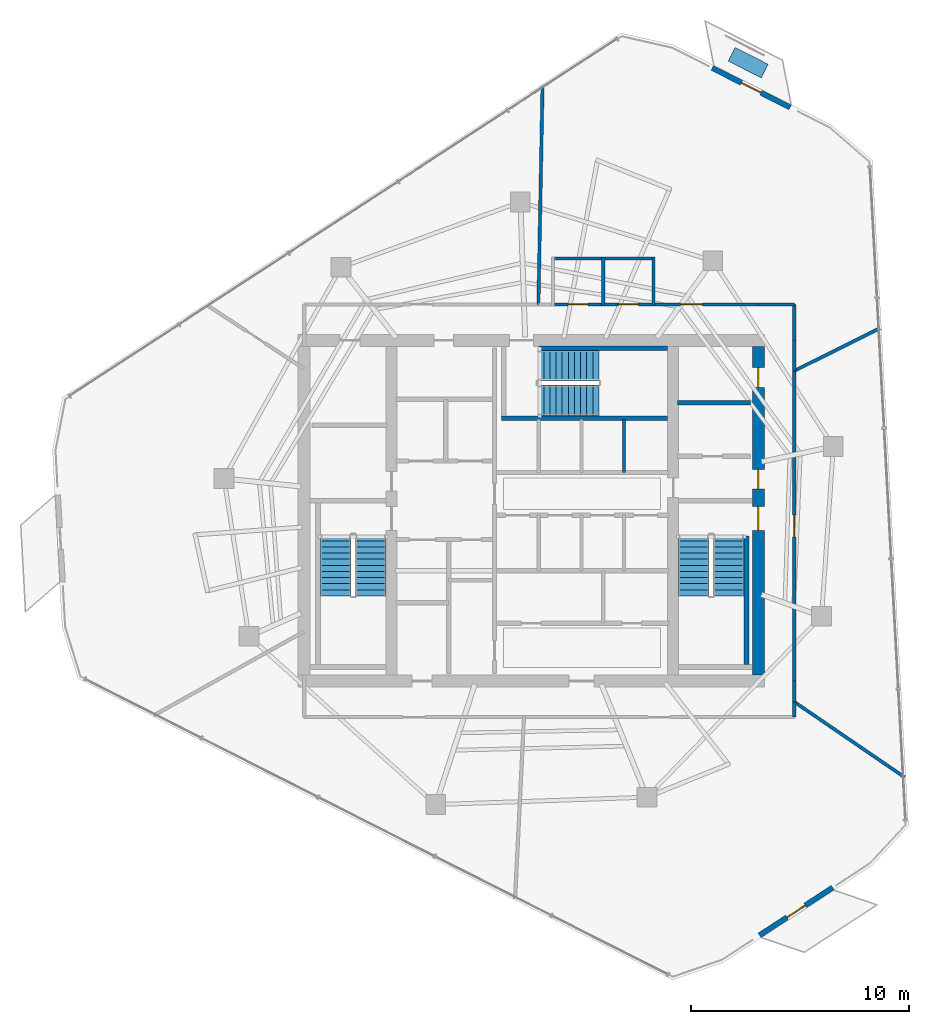
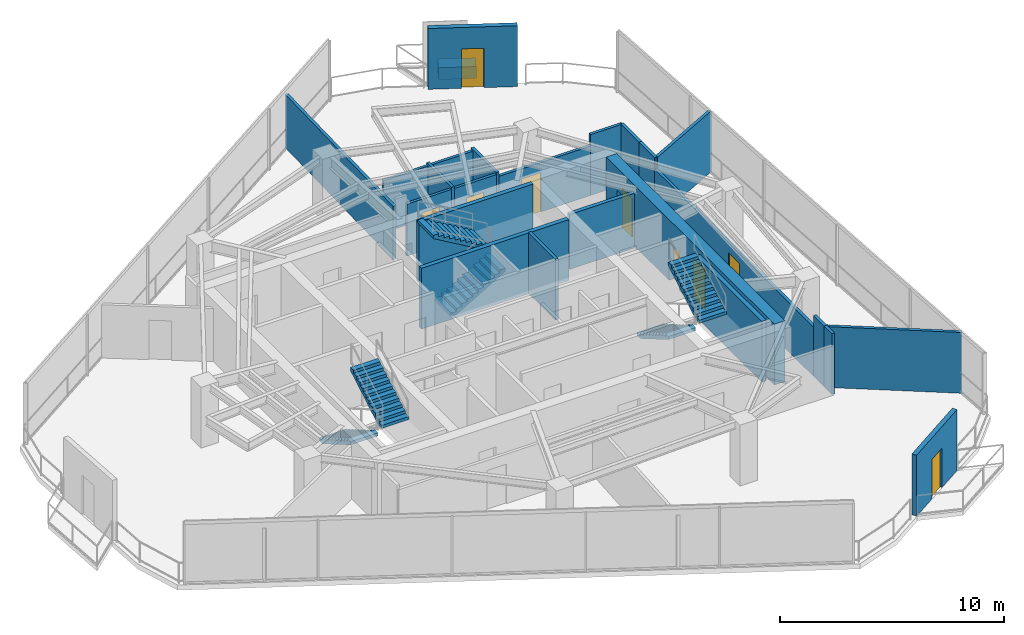
# One storey, part 16 of 18: 24 walls, 9 doors, 6 stair flights, 1 discrete accessory, 9 openings, 3 elements without a shape of their own.
"""IFC4 building model written with IfcOpenShell, lengths in metres."""

from ifc_helpers import new_model, si_unit, direction, frame, frame_2d, origin, origin_2d, place, context, subcontext, project, spatial, polyline, rectangle, outline, extrude, material, layer, layer_set, type_object, element, fill, aggregate, save


model = new_model("IFC4")

# Units and contexts
model_context = context("Model", 3, precision=1e-05, world=origin(), true_north=direction((0.0, 1.0)))
body_context = subcontext(model_context, "Body", "Model", "MODEL_VIEW")
ifc_project = project(units=[si_unit("LENGTHUNIT", "METRE"), si_unit("AREAUNIT", "SQUARE_METRE"), si_unit("VOLUMEUNIT", "CUBIC_METRE"), si_unit("PLANEANGLEUNIT", "RADIAN"), si_unit("MASSUNIT", "GRAM", prefix="KILO")], contexts=[model_context])

# Site, building, storey
site_placement = place(None, origin())
site = spatial("IfcSite", under=ifc_project, at=site_placement, CompositionType="ELEMENT")
building_placement = place(site_placement, origin())
building = spatial("IfcBuilding", under=site, at=building_placement, Name="Qarnah Convention Tower", CompositionType="ELEMENT")
storey_placement = place(building_placement, frame((0.0, 0.0, 191.39990234375)))
storey = spatial("IfcBuildingStorey", under=building, at=storey_placement, Name="L51", CompositionType="ELEMENT", Elevation=191.39990234375)

# Wall, openings, doors
ifc_material_1 = material(Name="Concrete C60/75", Category="concrete")
ifc_layer_1 = layer(ifc_material_1, 0.550048828125)
ifc_layer_set_1 = layer_set([ifc_layer_1], Name="Concrete C60/75")
wall_type_1 = type_object("IfcWallType", Name="WL-CORE-550", PredefinedType="SHEAR", material=ifc_layer_set_1)
wall_1_placement = place(storey_placement, frame((47.60009765625, 18.875, 0.0), z_axis=(0.0, 0.0, 1.0), x_axis=(0.0, 1.0, 0.0)))
wall_1 = element("IfcWall", 1, at=wall_1_placement, inside=storey, type_object=wall_type_1, Name="L51 core east shear wall", PredefinedType="SHEAR", context=body_context, shape_type="SweptSolid", body=[
    extrude(rectangle(XDim=15.050048828125, YDim=0.550048828125, at=frame_2d((7.52490234375, 0.0))), origin(), (0.0, 0.0, 1.0), 3.320068359375),
])
opening_1_placement = place(wall_1_placement, frame((6.625, 0.0, 0.0)))
opening_1 = element("IfcOpeningElement", 2, at=opening_1_placement, cuts=wall_1, Name="Opening D-5102", PredefinedType="OPENING", context=body_context, shape_type="SweptSolid", body=[
    extrude(rectangle(XDim=1.10009765625, YDim=2.14990234375, at=frame_2d((0.550048828125, 1.074951171875))), frame((0.0, 0.284912109375, 0.0), z_axis=(0.0, -1.0, 0.0), x_axis=(1.0, 0.0, 0.0)), (0.0, 0.0, 1.0), 0.570068359375),
])
opening_2_placement = place(wall_1_placement, frame((8.52490234375, 0.0, 0.0)))
opening_2 = element("IfcOpeningElement", 3, at=opening_2_placement, cuts=wall_1, Name="Opening D-5106", PredefinedType="OPENING", context=body_context, shape_type="SweptSolid", body=[
    extrude(rectangle(XDim=0.89990234375, YDim=2.10009765625, at=frame_2d((0.449951171875, 1.050048828125))), frame((0.0, 0.284912109375, 0.0), z_axis=(0.0, -1.0, 0.0), x_axis=(1.0, 0.0, 0.0)), (0.0, 0.0, 1.0), 0.570068359375),
])
opening_3_placement = place(wall_1_placement, frame((13.175048828125, 0.0, 0.0)))
opening_3 = element("IfcOpeningElement", 4, at=opening_3_placement, cuts=wall_1, Name="Opening D-5112", PredefinedType="OPENING", context=body_context, shape_type="SweptSolid", body=[
    extrude(rectangle(XDim=0.89990234375, YDim=2.10009765625, at=frame_2d((0.449951171875, 1.050048828125))), frame((0.0, 0.284912109375, 0.0), z_axis=(0.0, -1.0, 0.0), x_axis=(1.0, 0.0, 0.0)), (0.0, 0.0, 1.0), 0.570068359375),
])
ifc_material_2 = material(Name="Structural steel S355JR", Category="steel")
door_type_1 = type_object("IfcDoorType", Name="DT-RISER-900", OperationType="NOTDEFINED", PredefinedType="DOOR", material=ifc_material_2)
door_1_placement = place(opening_2_placement, origin())
door_1 = element("IfcDoor", 5, at=door_1_placement, inside=storey, type_object=door_type_1, Name="Door D-5106", OperationType="SINGLE_SWING_LEFT", OverallHeight=2.10009765625, OverallWidth=0.89990234375, PredefinedType="DOOR", context=body_context, shape_type="SweptSolid", body=[
    extrude(rectangle(XDim=0.89990234375, YDim=2.10009765625, at=frame_2d((0.449951171875, 1.050048828125))), frame((0.0, 0.02490234375, 0.0), z_axis=(0.0, -1.0, 0.0), x_axis=(1.0, 0.0, 0.0)), (0.0, 0.0, 1.0), 0.050048828125),
])
fill(opening_2, door_1)
door_2_placement = place(opening_3_placement, origin())
door_2 = element("IfcDoor", 6, at=door_2_placement, inside=storey, type_object=door_type_1, Name="Door D-5112", OperationType="SINGLE_SWING_LEFT", OverallHeight=2.10009765625, OverallWidth=0.89990234375, PredefinedType="DOOR", context=body_context, shape_type="SweptSolid", body=[
    extrude(rectangle(XDim=0.89990234375, YDim=2.10009765625, at=frame_2d((0.449951171875, 1.050048828125))), frame((0.0, 0.02490234375, 0.0), z_axis=(0.0, -1.0, 0.0), x_axis=(1.0, 0.0, 0.0)), (0.0, 0.0, 1.0), 0.050048828125),
])
fill(opening_3, door_2)
door_type_2 = type_object("IfcDoorType", Name="DT-STAIR-1100", OperationType="NOTDEFINED", PredefinedType="DOOR", material=ifc_material_2)
door_3_placement = place(opening_1_placement, origin())
door_3 = element("IfcDoor", 7, at=door_3_placement, inside=storey, type_object=door_type_2, Name="Door D-5102", OperationType="SINGLE_SWING_LEFT", OverallHeight=2.14990234375, OverallWidth=1.10009765625, PredefinedType="DOOR", context=body_context, shape_type="SweptSolid", body=[
    extrude(rectangle(XDim=1.10009765625, YDim=2.14990234375, at=frame_2d((0.550048828125, 1.074951171875))), frame((0.0, 0.02490234375, 0.0), z_axis=(0.0, -1.0, 0.0), x_axis=(1.0, 0.0, 0.0)), (0.0, 0.0, 1.0), 0.050048828125),
])
fill(opening_1, door_3)

# Walls
ifc_material_3 = material(Name="Concrete C45/55", Category="concrete")
ifc_layer_2 = layer(ifc_material_3, 0.199951171875)
ifc_layer_set_2 = layer_set([ifc_layer_2], Name="Concrete C45/55")
wall_type_2 = type_object("IfcWallType", Name="WL-CORE-PART-200", PredefinedType="SOLIDWALL", material=ifc_layer_set_2)
wall_2_placement = place(storey_placement, frame((43.89990234375, 31.35009765625, 0.0), z_axis=(0.0, 0.0, 1.0), x_axis=(1.0, 0.0, 0.0)))
element("IfcWall", 8, at=wall_2_placement, inside=storey, type_object=wall_type_2, Name="L51 interior wall IW-L51-WTRN", PredefinedType="SOLIDWALL", context=body_context, shape_type="SweptSolid", body=[
    extrude(rectangle(XDim=3.35009765625, YDim=0.199951171875, at=frame_2d((1.675048828125, 0.0))), origin(), (0.0, 0.0, 1.0), 2.9931640625),
])
ifc_layer_3 = layer(ifc_material_1, 0.219970703125)
ifc_layer_set_3 = layer_set([ifc_layer_3], Name="Concrete C60/75")
wall_type_3 = type_object("IfcWallType", Name="WL-CORE-STAIR-220", PredefinedType="SHEAR", material=ifc_layer_set_3)
wall_3_placement = place(storey_placement, frame((47.06005859375, 19.35009765625, 0.0), z_axis=(0.0, 0.0, 1.0), x_axis=(0.0, 1.0, 0.0)))
element("IfcWall", 9, at=wall_3_placement, inside=storey, type_object=wall_type_3, Name="L51 stair shaft shear wall SW-L51-ST2E", PredefinedType="SHEAR", context=body_context, shape_type="SweptSolid", body=[
    extrude(rectangle(XDim=5.89990234375, YDim=0.219970703125, at=frame_2d((2.949951171875, 0.0))), origin(), (0.0, 0.0, 1.0), 3.320068359375),
])
wall_4_placement = place(storey_placement, frame((35.840087890625, 30.639892578125, 0.0), z_axis=(0.0, 0.0, 1.0), x_axis=(1.0, 0.0, 0.0)))
element("IfcWall", 10, at=wall_4_placement, inside=storey, type_object=wall_type_3, Name="L51 stair shaft shear wall SW-L51-ST3S", PredefinedType="SHEAR", context=body_context, shape_type="SweptSolid", body=[
    extrude(rectangle(XDim=7.60986328125, YDim=0.219970703125, at=frame_2d((3.804931640625, 0.0))), origin(), (0.0, 0.0, 1.0), 3.320068359375),
])
wall_5_placement = place(storey_placement, frame((37.550048828125, 33.840087890625, 0.0), z_axis=(0.0, 0.0, 1.0), x_axis=(1.0, 0.0, 0.0)))
element("IfcWall", 11, at=wall_5_placement, inside=storey, type_object=wall_type_3, Name="L51 stair shaft shear wall SW-L51-ST3N", PredefinedType="SHEAR", context=body_context, shape_type="SweptSolid", body=[
    extrude(rectangle(XDim=5.89990234375, YDim=0.219970703125, at=frame_2d((2.949951171875, 0.0))), origin(), (0.0, 0.0, 1.0), 3.320068359375),
])

# Wall, opening, door
ifc_material_4 = material(Name="Precast concrete C45/55", Category="concrete")
ifc_layer_4 = layer(ifc_material_4, 0.239990234375)
ifc_layer_set_4 = layer_set([ifc_layer_4], Name="Precast concrete C45/55")
wall_type_4 = type_object("IfcWallType", Name="WL-EXT-BAL-240", PredefinedType="SOLIDWALL", material=ifc_layer_set_4)
wall_6_placement = place(storey_placement, frame((45.490966796875, 46.678955078125, 0.0), z_axis=(0.0, 0.0, 1.0), x_axis=(0.891935694243, -0.452162268809, 0.0)))
wall_6 = element("IfcWall", 12, at=wall_6_placement, inside=storey, type_object=wall_type_4, Name="L51 loggia threshold wall BAL-L51-C1", PredefinedType="SOLIDWALL", context=body_context, shape_type="SweptSolid", body=[
    extrude(rectangle(XDim=4.00048828125, YDim=0.239990234375, at=frame_2d((2.000244140625, 0.0))), origin(), (0.0, 0.0, 1.0), 3.320068359375),
])
opening_4_placement = place(wall_6_placement, frame((1.5, 0.0, 0.0)))
opening_4 = element("IfcOpeningElement", 13, at=opening_4_placement, cuts=wall_6, Name="Opening BD-5101", PredefinedType="OPENING", context=body_context, shape_type="SweptSolid", body=[
    extrude(rectangle(XDim=1.0, YDim=2.14990234375, at=frame_2d((0.5, 1.074951171875))), frame((0.0, 0.1298828125, 0.0), z_axis=(0.0, -1.0, 0.0), x_axis=(1.0, 0.0, 0.0)), (0.0, 0.0, 1.0), 0.260009765625),
])
ifc_material_5 = material(Name="Black anodised aluminium", Category="aluminium")
door_type_3 = type_object("IfcDoorType", Name="DT-BAL-1000", OperationType="NOTDEFINED", PredefinedType="DOOR", material=ifc_material_5)
door_4_placement = place(opening_4_placement, origin())
door_4 = element("IfcDoor", 14, at=door_4_placement, inside=storey, type_object=door_type_3, Name="L51 balcony terrace door BAL-L51-C1", OperationType="SINGLE_SWING_RIGHT", OverallHeight=2.14990234375, OverallWidth=1.0, PredefinedType="DOOR", context=body_context, shape_type="SweptSolid", body=[
    extrude(rectangle(XDim=1.0, YDim=2.14990234375, at=frame_2d((0.5, 1.074951171875))), frame((0.0, 0.02490234375, 0.0), z_axis=(0.0, -1.0, 0.0), x_axis=(1.0, 0.0, 0.0)), (0.0, 0.0, 1.0), 0.050048828125),
])
fill(opening_4, door_4)

wall_7_placement = place(storey_placement, frame((51.007080078125, 9.14111328125, 0.0), z_axis=(0.0, 0.0, 1.0), x_axis=(-0.837586309671, -0.546305019061, 0.0)))
wall_7 = element("IfcWall", 15, at=wall_7_placement, inside=storey, type_object=wall_type_4, Name="L51 loggia threshold wall BAL-L51-C3", PredefinedType="SOLIDWALL", context=body_context, shape_type="SweptSolid", body=[
    extrude(rectangle(XDim=3.999755859375, YDim=0.239990234375, at=frame_2d((2.0, 0.0))), origin(), (0.0, 0.0, 1.0), 3.320068359375),
])
opening_5_placement = place(wall_7_placement, frame((1.5, 0.0, 0.0)))
opening_5 = element("IfcOpeningElement", 16, at=opening_5_placement, cuts=wall_7, Name="Opening BD-5103", PredefinedType="OPENING", context=body_context, shape_type="SweptSolid", body=[
    extrude(rectangle(XDim=1.0, YDim=2.14990234375, at=frame_2d((0.5, 1.074951171875))), frame((0.0, 0.1298828125, 0.0), z_axis=(0.0, -1.0, 0.0), x_axis=(1.0, 0.0, 0.0)), (0.0, 0.0, 1.0), 0.260009765625),
])
door_5_placement = place(opening_5_placement, origin())
door_5 = element("IfcDoor", 17, at=door_5_placement, inside=storey, type_object=door_type_3, Name="L51 balcony terrace door BAL-L51-C3", OperationType="SINGLE_SWING_RIGHT", OverallHeight=2.14990234375, OverallWidth=1.0, PredefinedType="DOOR", context=body_context, shape_type="SweptSolid", body=[
    extrude(rectangle(XDim=1.0, YDim=2.14990234375, at=frame_2d((0.5, 1.074951171875))), frame((0.0, 0.02490234375, 0.0), z_axis=(0.0, -1.0, 0.0), x_axis=(1.0, 0.0, 0.0)), (0.0, 0.0, 1.0), 0.050048828125),
])
fill(opening_5, door_5)

# Walls
ifc_material_6 = material(Name="Gypsum partition board")
ifc_layer_5 = layer(ifc_material_6, 0.14990234375)
ifc_layer_set_5 = layer_set([ifc_layer_5], Name="Gypsum partition board")
wall_type_5 = type_object("IfcWallType", Name="WL-SUITE-150", PredefinedType="PARTITIONING", material=ifc_layer_set_5)
wall_8_placement = place(storey_placement, frame((41.449951171875, 28.14990234375, 0.0), z_axis=(0.0, 0.0, 1.0), x_axis=(0.0, 1.0, 0.0)))
element("IfcWall", 18, at=wall_8_placement, inside=storey, type_object=wall_type_5, Name="L51 interior wall IW-L51-PHD3", PredefinedType="PARTITIONING", context=body_context, shape_type="SweptSolid", body=[
    extrude(rectangle(XDim=2.43017578125, YDim=0.14990234375, at=frame_2d((1.215087890625, 0.0))), origin(), (0.0, 0.0, 1.0), 3.320068359375),
])
wall_9_placement = place(storey_placement, frame((37.718994140625, 45.85595703125, 0.0), z_axis=(0.0, 0.0, 1.0), x_axis=(-0.018882051773, -0.999821718168, 0.0)))
element("IfcWall", 19, at=wall_9_placement, inside=storey, type_object=wall_type_5, Name="L51 interior wall IW-L51-R-08", PredefinedType="PARTITIONING", context=body_context, shape_type="SweptSolid", body=[
    extrude(rectangle(XDim=10.007568359375, YDim=0.14990234375, at=frame_2d((5.00390625, 0.0))), origin(), (0.0, 0.0, 1.0), 2.905029296875),
])

# Wall, opening, door
wall_10_placement = place(storey_placement, frame((42.8701171875, 35.85009765625, 0.0), z_axis=(0.0, 0.0, 1.0), x_axis=(1.0, 0.0, 0.0)))
wall_10 = element("IfcWall", 20, at=wall_10_placement, inside=storey, type_object=wall_type_5, Name="L51 interior wall IW-L51-R-10", PredefinedType="PARTITIONING", context=body_context, shape_type="SweptSolid", body=[
    extrude(rectangle(XDim=4.72998046875, YDim=0.14990234375, at=frame_2d((2.364990234375, 0.0))), origin(), (0.0, 0.0, 1.0), 2.697021484375),
])
opening_6_placement = place(wall_10_placement, frame((1.1689453125, 0.0, 0.0)))
opening_6 = element("IfcOpeningElement", 21, at=opening_6_placement, cuts=wall_10, Name="Opening D-5120", PredefinedType="OPENING", context=body_context, shape_type="SweptSolid", body=[
    extrude(rectangle(XDim=1.0, YDim=2.14990234375, at=frame_2d((0.5, 1.074951171875))), frame((0.0, 0.0849609375, 0.0), z_axis=(0.0, -1.0, 0.0), x_axis=(1.0, 0.0, 0.0)), (0.0, 0.0, 1.0), 0.169921875),
])
ifc_material_7 = material(Name="Oak timber veneer", Category="wood")
door_type_4 = type_object("IfcDoorType", Name="DT-OFFICE-1000", OperationType="NOTDEFINED", PredefinedType="DOOR", material=ifc_material_7)
door_6_placement = place(opening_6_placement, origin())
door_6 = element("IfcDoor", 22, at=door_6_placement, inside=storey, type_object=door_type_4, Name="Door D-5120", OperationType="SINGLE_SWING_LEFT", OverallHeight=2.14990234375, OverallWidth=1.0, PredefinedType="DOOR", context=body_context, shape_type="SweptSolid", body=[
    extrude(rectangle(XDim=1.0, YDim=2.14990234375, at=frame_2d((0.5, 1.074951171875))), frame((0.0, 0.02490234375, 0.0), z_axis=(0.0, -1.0, 0.0), x_axis=(1.0, 0.0, 0.0)), (0.0, 0.0, 1.0), 0.050048828125),
])
fill(opening_6, door_6)

# Walls
wall_11_placement = place(storey_placement, frame((47.60009765625, 35.85009765625, 0.0), z_axis=(0.0, 0.0, 1.0), x_axis=(1.0, 0.0, 0.0)))
element("IfcWall", 23, at=wall_11_placement, inside=storey, type_object=wall_type_5, Name="L51 interior wall IW-L51-R-11", PredefinedType="PARTITIONING", context=body_context, shape_type="SweptSolid", body=[
    extrude(rectangle(XDim=1.64990234375, YDim=0.14990234375, at=frame_2d((0.824951171875, 0.0))), origin(), (0.0, 0.0, 1.0), 3.320068359375),
])
wall_12_placement = place(storey_placement, frame((49.25, 35.85009765625, 0.0), z_axis=(0.0, 0.0, 1.0), x_axis=(0.0, -1.0, 0.0)))
element("IfcWall", 24, at=wall_12_placement, inside=storey, type_object=wall_type_5, Name="L51 interior wall IW-L51-R-12", PredefinedType="PARTITIONING", context=body_context, shape_type="SweptSolid", body=[
    extrude(rectangle(XDim=1.650146484375, YDim=0.14990234375, at=frame_2d((0.8251953125, 0.0))), origin(), (0.0, 0.0, 1.0), 3.320068359375),
])
wall_13_placement = place(storey_placement, frame((49.25, 34.199951171875, 0.0), z_axis=(0.0, 0.0, 1.0), x_axis=(0.0, -1.0, 0.0)))
element("IfcWall", 25, at=wall_13_placement, inside=storey, type_object=wall_type_5, Name="L51 interior wall IW-L51-R-13", PredefinedType="PARTITIONING", context=body_context, shape_type="SweptSolid", body=[
    extrude(rectangle(XDim=1.39306640625, YDim=0.14990234375, at=frame_2d((0.696533203125, 0.0))), origin(), (0.0, 0.0, 1.0), 3.320068359375),
])
wall_14_placement = place(storey_placement, frame((49.25, 32.806884765625, 0.0), z_axis=(0.0, 0.0, 1.0), x_axis=(0.895229443913, 0.445605478816, 0.0)))
element("IfcWall", 26, at=wall_14_placement, inside=storey, type_object=wall_type_5, Name="L51 interior wall IW-L51-R-14", PredefinedType="PARTITIONING", context=body_context, shape_type="SweptSolid", body=[
    extrude(rectangle(XDim=4.374267578125, YDim=0.14990234375, at=frame_2d((2.18701171875, 0.0))), origin(), (0.0, 0.0, 1.0), 3.320068359375),
])
wall_15_placement = place(storey_placement, frame((54.297119140625, 14.196044921875, 0.0), z_axis=(0.0, 0.0, 1.0), x_axis=(-0.825636269651, 0.564202756318, 0.0)))
element("IfcWall", 27, at=wall_15_placement, inside=storey, type_object=wall_type_5, Name="L51 interior wall IW-L51-R-22", PredefinedType="PARTITIONING", context=body_context, shape_type="SweptSolid", body=[
    extrude(rectangle(XDim=6.113037109375, YDim=0.14990234375, at=frame_2d((3.056640625, 0.0))), origin(), (0.0, 0.0, 1.0), 3.320068359375),
])
wall_16_placement = place(storey_placement, frame((49.25, 17.64501953125, 0.0), z_axis=(0.0, 0.0, 1.0), x_axis=(0.0, -1.0, 0.0)))
element("IfcWall", 28, at=wall_16_placement, inside=storey, type_object=wall_type_5, Name="L51 interior wall IW-L51-R-23", PredefinedType="PARTITIONING", context=body_context, shape_type="SweptSolid", body=[
    extrude(rectangle(XDim=0.695068359375, YDim=0.14990234375, at=frame_2d((0.34765625, 0.0))), origin(), (0.0, 0.0, 1.0), 3.320068359375),
])

# Wall, opening, door
wall_17_placement = place(storey_placement, frame((49.25, 32.806884765625, 0.0), z_axis=(0.0, 0.0, 1.0), x_axis=(0.0, -1.0, 0.0)))
wall_17 = element("IfcWall", 29, at=wall_17_placement, inside=storey, type_object=wall_type_5, Name="L51 interior wall IW-L51-R-25", PredefinedType="PARTITIONING", context=body_context, shape_type="SweptSolid", body=[
    extrude(rectangle(XDim=14.206787109375, YDim=0.14990234375, at=frame_2d((7.103515625, 0.0))), origin(), (0.0, 0.0, 1.0), 2.697021484375),
])
opening_7_placement = place(wall_17_placement, frame((6.60400390625, 0.0, 0.0)))
opening_7 = element("IfcOpeningElement", 30, at=opening_7_placement, cuts=wall_17, Name="Opening D-5125", PredefinedType="OPENING", context=body_context, shape_type="SweptSolid", body=[
    extrude(rectangle(XDim=1.0, YDim=2.14990234375, at=frame_2d((0.5, 1.074951171875))), frame((0.0, 0.0849609375, 0.0), z_axis=(0.0, -1.0, 0.0), x_axis=(1.0, 0.0, 0.0)), (0.0, 0.0, 1.0), 0.169921875),
])
door_7_placement = place(opening_7_placement, origin())
door_7 = element("IfcDoor", 31, at=door_7_placement, inside=storey, type_object=door_type_4, Name="Door D-5125", OperationType="SINGLE_SWING_RIGHT", OverallHeight=2.14990234375, OverallWidth=1.0, PredefinedType="DOOR", context=body_context, shape_type="SweptSolid", body=[
    extrude(rectangle(XDim=1.0, YDim=2.14990234375, at=frame_2d((0.5, 1.074951171875))), frame((0.0, 0.02490234375, 0.0), z_axis=(0.0, -1.0, 0.0), x_axis=(1.0, 0.0, 0.0)), (0.0, 0.0, 1.0), 0.050048828125),
])
fill(opening_7, door_7)

# Wall
wall_18_placement = place(storey_placement, frame((49.25, 18.60009765625, 0.0), z_axis=(0.0, 0.0, 1.0), x_axis=(0.0, -1.0, 0.0)))
element("IfcWall", 32, at=wall_18_placement, inside=storey, type_object=wall_type_5, Name="L51 interior wall IW-L51-R-26", PredefinedType="PARTITIONING", context=body_context, shape_type="SweptSolid", body=[
    extrude(rectangle(XDim=0.955078125, YDim=0.14990234375, at=frame_2d((0.4775390625, 0.0))), origin(), (0.0, 0.0, 1.0), 3.320068359375),
])

# Wall, opening, door
ifc_layer_6 = layer(ifc_material_6, 0.139892578125)
ifc_layer_set_6 = layer_set([ifc_layer_6], Name="Gypsum partition board")
wall_type_6 = type_object("IfcWallType", Name="WL-WET-140", PredefinedType="PARTITIONING", material=ifc_layer_set_6)
wall_19_placement = place(storey_placement, frame((38.1298828125, 35.85009765625, 0.0), z_axis=(0.0, 0.0, 1.0), x_axis=(1.0, 0.0, 0.0)))
wall_19 = element("IfcWall", 33, at=wall_19_placement, inside=storey, type_object=wall_type_6, Name="L51 interior wall IW-L51-WCM-1", PredefinedType="PARTITIONING", context=body_context, shape_type="SweptSolid", body=[
    extrude(rectangle(XDim=2.440185546875, YDim=0.139892578125, at=frame_2d((1.22021484375, 0.0))), origin(), (0.0, 0.0, 1.0), 2.841064453125),
])
opening_8_placement = place(wall_19_placement, frame((0.760009765625, 0.0, 0.0)))
opening_8 = element("IfcOpeningElement", 34, at=opening_8_placement, cuts=wall_19, Name="Opening D-5118", PredefinedType="OPENING", context=body_context, shape_type="SweptSolid", body=[
    extrude(rectangle(XDim=0.919921875, YDim=2.10009765625, at=frame_2d((0.4599609375, 1.050048828125))), frame((0.0, 0.079833984375, 0.0), z_axis=(0.0, -1.0, 0.0), x_axis=(1.0, 0.0, 0.0)), (0.0, 0.0, 1.0), 0.159912109375),
])
door_type_5 = type_object("IfcDoorType", Name="DT-WC-920", OperationType="NOTDEFINED", PredefinedType="DOOR", material=ifc_material_7)
door_8_placement = place(opening_8_placement, origin())
door_8 = element("IfcDoor", 35, at=door_8_placement, inside=storey, type_object=door_type_5, Name="Door D-5118", OperationType="SINGLE_SWING_LEFT", OverallHeight=2.10009765625, OverallWidth=0.919921875, PredefinedType="DOOR", context=body_context, shape_type="SweptSolid", body=[
    extrude(rectangle(XDim=0.919921875, YDim=2.10009765625, at=frame_2d((0.4599609375, 1.050048828125))), frame((0.0, 0.02490234375, 0.0), z_axis=(0.0, -1.0, 0.0), x_axis=(1.0, 0.0, 0.0)), (0.0, 0.0, 1.0), 0.050048828125),
])
fill(opening_8, door_8)

# Walls
wall_20_placement = place(storey_placement, frame((40.5, 35.780029296875, 0.0), z_axis=(0.0, 0.0, 1.0), x_axis=(0.0, 1.0, 0.0)))
element("IfcWall", 36, at=wall_20_placement, inside=storey, type_object=wall_type_6, Name="L51 interior wall IW-L51-WCM-2", PredefinedType="PARTITIONING", context=body_context, shape_type="SweptSolid", body=[
    extrude(rectangle(XDim=2.239990234375, YDim=0.139892578125, at=frame_2d((1.1201171875, 0.0))), origin(), (0.0, 0.0, 1.0), 2.94921875),
])
wall_21_placement = place(storey_placement, frame((40.570068359375, 37.949951171875, 0.0), z_axis=(0.0, 0.0, 1.0), x_axis=(-1.0, 0.0, 0.0)))
element("IfcWall", 37, at=wall_21_placement, inside=storey, type_object=wall_type_6, Name="L51 interior wall IW-L51-WCM-3", PredefinedType="PARTITIONING", context=body_context, shape_type="SweptSolid", body=[
    extrude(rectangle(XDim=2.440185546875, YDim=0.139892578125, at=frame_2d((1.22021484375, 0.0))), origin(), (0.0, 0.0, 1.0), 2.841064453125),
])

# Wall, opening, door
wall_22_placement = place(storey_placement, frame((40.429931640625, 35.85009765625, 0.0), z_axis=(0.0, 0.0, 1.0), x_axis=(1.0, 0.0, 0.0)))
wall_22 = element("IfcWall", 38, at=wall_22_placement, inside=storey, type_object=wall_type_6, Name="L51 interior wall IW-L51-WCF-1", PredefinedType="PARTITIONING", context=body_context, shape_type="SweptSolid", body=[
    extrude(rectangle(XDim=2.440185546875, YDim=0.139892578125, at=frame_2d((1.22021484375, 0.0))), origin(), (0.0, 0.0, 1.0), 2.841064453125),
])
opening_9_placement = place(wall_22_placement, frame((0.760009765625, 0.0, 0.0)))
opening_9 = element("IfcOpeningElement", 39, at=opening_9_placement, cuts=wall_22, Name="Opening D-5119", PredefinedType="OPENING", context=body_context, shape_type="SweptSolid", body=[
    extrude(rectangle(XDim=0.919921875, YDim=2.10009765625, at=frame_2d((0.4599609375, 1.050048828125))), frame((0.0, 0.079833984375, 0.0), z_axis=(0.0, -1.0, 0.0), x_axis=(1.0, 0.0, 0.0)), (0.0, 0.0, 1.0), 0.159912109375),
])
door_9_placement = place(opening_9_placement, origin())
door_9 = element("IfcDoor", 40, at=door_9_placement, inside=storey, type_object=door_type_5, Name="Door D-5119", OperationType="SINGLE_SWING_RIGHT", OverallHeight=2.10009765625, OverallWidth=0.919921875, PredefinedType="DOOR", context=body_context, shape_type="SweptSolid", body=[
    extrude(rectangle(XDim=0.919921875, YDim=2.10009765625, at=frame_2d((0.4599609375, 1.050048828125))), frame((0.0, 0.02490234375, 0.0), z_axis=(0.0, -1.0, 0.0), x_axis=(1.0, 0.0, 0.0)), (0.0, 0.0, 1.0), 0.050048828125),
])
fill(opening_9, door_9)

# Walls
wall_23_placement = place(storey_placement, frame((42.800048828125, 35.780029296875, 0.0), z_axis=(0.0, 0.0, 1.0), x_axis=(0.0, 1.0, 0.0)))
element("IfcWall", 41, at=wall_23_placement, inside=storey, type_object=wall_type_6, Name="L51 interior wall IW-L51-WCF-2", PredefinedType="PARTITIONING", context=body_context, shape_type="SweptSolid", body=[
    extrude(rectangle(XDim=2.239990234375, YDim=0.139892578125, at=frame_2d((1.1201171875, 0.0))), origin(), (0.0, 0.0, 1.0), 2.94921875),
])
wall_24_placement = place(storey_placement, frame((42.8701171875, 37.949951171875, 0.0), z_axis=(0.0, 0.0, 1.0), x_axis=(-1.0, 0.0, 0.0)))
element("IfcWall", 42, at=wall_24_placement, inside=storey, type_object=wall_type_6, Name="L51 interior wall IW-L51-WCF-3", PredefinedType="PARTITIONING", context=body_context, shape_type="SweptSolid", body=[
    extrude(rectangle(XDim=2.440185546875, YDim=0.139892578125, at=frame_2d((1.22021484375, 0.0))), origin(), (0.0, 0.0, 1.0), 2.841064453125),
])

# Stair, stair flights
ifc_material_8 = material(Name="Concrete C50/60", Category="concrete")
stair_type = type_object("IfcStairType", Name="STR-OFF", PredefinedType="HALF_TURN_STAIR", material=ifc_material_8)
stair_1_placement = place(storey_placement, origin())
stair_1 = element("IfcStair", 43, at=stair_1_placement, inside=storey, type_object=stair_type, Name="L51 Core exit stair ST-1", PredefinedType="HALF_TURN_STAIR")
stair_flight_type = type_object("IfcStairFlightType", Name="FLT-OFF", PredefinedType="STRAIGHT", material=ifc_material_8)
stair_flight_1_placement = place(storey_placement, frame((28.25, 25.300048828125, 0.0), z_axis=(0.0, 0.0, 1.0), x_axis=(0.0, -1.0, 0.0)))
stair_flight_1 = element("IfcStairFlight", 44, at=stair_flight_1_placement, type_object=stair_flight_type, Name="ST-1 flight 1", NumberOfRisers=11, NumberOfTreads=10, PredefinedType="STRAIGHT", RiserHeight=0.163636364, TreadLength=0.28, context=body_context, shape_type="SweptSolid", body=[
    extrude(outline(polyline([(0.0, 0.0), (0.0, 0.16357421875), (0.280029296875, 0.16357421875), (0.280029296875, 0.327392578125), (0.56005859375, 0.327392578125), (0.56005859375, 0.490966796875), (0.840087890625, 0.490966796875), (0.840087890625, 0.654541015625), (1.1201171875, 0.654541015625), (1.1201171875, 0.818115234375), (1.39990234375, 0.818115234375), (1.39990234375, 0.98193359375), (1.679931640625, 0.98193359375), (1.679931640625, 1.1455078125), (1.9599609375, 1.1455078125), (1.9599609375, 1.30908203125), (2.239990234375, 1.30908203125), (2.239990234375, 1.47265625), (2.52001953125, 1.47265625), (2.52001953125, 1.636474609375), (2.800048828125, 1.636474609375), (2.800048828125, 1.800048828125), (2.800048828125, 1.462646484375), (0.297119140625, 0.0), (0.0, 0.0)])), frame((0.0, 0.699951171875, 0.0), z_axis=(0.0, -1.0, 0.0), x_axis=(1.0, 0.0, 0.0)), (0.0, 0.0, 1.0), 1.39990234375),
])
stair_flight_2_placement = place(storey_placement, frame((29.85009765625, 22.5, 1.800048828125), z_axis=(0.0, 0.0, 1.0), x_axis=(0.0, 1.0, 0.0)))
stair_flight_2 = element("IfcStairFlight", 45, at=stair_flight_2_placement, type_object=stair_flight_type, Name="ST-1 flight 2", NumberOfRisers=11, NumberOfTreads=10, PredefinedType="STRAIGHT", RiserHeight=0.163636364, TreadLength=0.28, context=body_context, shape_type="SweptSolid", body=[
    extrude(outline(polyline([(0.0, 0.0), (0.0, 0.16357421875), (0.280029296875, 0.16357421875), (0.280029296875, 0.327392578125), (0.56005859375, 0.327392578125), (0.56005859375, 0.490966796875), (0.840087890625, 0.490966796875), (0.840087890625, 0.654541015625), (1.1201171875, 0.654541015625), (1.1201171875, 0.818115234375), (1.39990234375, 0.818115234375), (1.39990234375, 0.98193359375), (1.679931640625, 0.98193359375), (1.679931640625, 1.1455078125), (1.9599609375, 1.1455078125), (1.9599609375, 1.30908203125), (2.239990234375, 1.30908203125), (2.239990234375, 1.47265625), (2.52001953125, 1.47265625), (2.52001953125, 1.636474609375), (2.800048828125, 1.636474609375), (2.800048828125, 1.800048828125), (2.800048828125, 1.462646484375), (0.297119140625, 0.0), (0.0, 0.0)])), frame((0.0, 0.699951171875, 0.0), z_axis=(0.0, -1.0, 0.0), x_axis=(1.0, 0.0, 0.0)), (0.0, 0.0, 1.0), 1.39990234375),
])
aggregate(stair_1, [stair_flight_1, stair_flight_2])

stair_2_placement = place(storey_placement, origin())
stair_2 = element("IfcStair", 46, at=stair_2_placement, inside=storey, type_object=stair_type, Name="L51 Core exit stair ST-2", PredefinedType="HALF_TURN_STAIR")
stair_flight_3_placement = place(storey_placement, frame((44.64990234375, 25.300048828125, 0.0), z_axis=(0.0, 0.0, 1.0), x_axis=(0.0, -1.0, 0.0)))
stair_flight_3 = element("IfcStairFlight", 47, at=stair_flight_3_placement, type_object=stair_flight_type, Name="ST-2 flight 1", NumberOfRisers=11, NumberOfTreads=10, PredefinedType="STRAIGHT", RiserHeight=0.163636364, TreadLength=0.28, context=body_context, shape_type="SweptSolid", body=[
    extrude(outline(polyline([(0.0, 0.0), (0.0, 0.16357421875), (0.280029296875, 0.16357421875), (0.280029296875, 0.327392578125), (0.56005859375, 0.327392578125), (0.56005859375, 0.490966796875), (0.840087890625, 0.490966796875), (0.840087890625, 0.654541015625), (1.1201171875, 0.654541015625), (1.1201171875, 0.818115234375), (1.39990234375, 0.818115234375), (1.39990234375, 0.98193359375), (1.679931640625, 0.98193359375), (1.679931640625, 1.1455078125), (1.9599609375, 1.1455078125), (1.9599609375, 1.30908203125), (2.239990234375, 1.30908203125), (2.239990234375, 1.47265625), (2.52001953125, 1.47265625), (2.52001953125, 1.636474609375), (2.800048828125, 1.636474609375), (2.800048828125, 1.800048828125), (2.800048828125, 1.462646484375), (0.297119140625, 0.0), (0.0, 0.0)])), frame((0.0, 0.699951171875, 0.0), z_axis=(0.0, -1.0, 0.0), x_axis=(1.0, 0.0, 0.0)), (0.0, 0.0, 1.0), 1.39990234375),
])
stair_flight_4_placement = place(storey_placement, frame((46.25, 22.5, 1.800048828125), z_axis=(0.0, 0.0, 1.0), x_axis=(0.0, 1.0, 0.0)))
stair_flight_4 = element("IfcStairFlight", 48, at=stair_flight_4_placement, type_object=stair_flight_type, Name="ST-2 flight 2", NumberOfRisers=11, NumberOfTreads=10, PredefinedType="STRAIGHT", RiserHeight=0.163636364, TreadLength=0.28, context=body_context, shape_type="SweptSolid", body=[
    extrude(outline(polyline([(0.0, 0.0), (0.0, 0.16357421875), (0.280029296875, 0.16357421875), (0.280029296875, 0.327392578125), (0.56005859375, 0.327392578125), (0.56005859375, 0.490966796875), (0.840087890625, 0.490966796875), (0.840087890625, 0.654541015625), (1.1201171875, 0.654541015625), (1.1201171875, 0.818115234375), (1.39990234375, 0.818115234375), (1.39990234375, 0.98193359375), (1.679931640625, 0.98193359375), (1.679931640625, 1.1455078125), (1.9599609375, 1.1455078125), (1.9599609375, 1.30908203125), (2.239990234375, 1.30908203125), (2.239990234375, 1.47265625), (2.52001953125, 1.47265625), (2.52001953125, 1.636474609375), (2.800048828125, 1.636474609375), (2.800048828125, 1.800048828125), (2.800048828125, 1.462646484375), (0.297119140625, 0.0), (0.0, 0.0)])), frame((0.0, 0.699951171875, 0.0), z_axis=(0.0, -1.0, 0.0), x_axis=(1.0, 0.0, 0.0)), (0.0, 0.0, 1.0), 1.39990234375),
])
aggregate(stair_2, [stair_flight_3, stair_flight_4])

stair_3_placement = place(storey_placement, origin())
stair_3 = element("IfcStair", 49, at=stair_3_placement, inside=storey, type_object=stair_type, Name="L51 Core exit stair ST-3", PredefinedType="HALF_TURN_STAIR")
stair_flight_5_placement = place(storey_placement, frame((37.5, 31.449951171875, 0.0), z_axis=(0.0, 0.0, 1.0), x_axis=(1.0, 0.0, 0.0)))
stair_flight_5 = element("IfcStairFlight", 50, at=stair_flight_5_placement, type_object=stair_flight_type, Name="ST-3 flight 1", NumberOfRisers=11, NumberOfTreads=10, PredefinedType="STRAIGHT", RiserHeight=0.163636364, TreadLength=0.28, context=body_context, shape_type="SweptSolid", body=[
    extrude(outline(polyline([(0.0, 0.0), (0.0, 0.16357421875), (0.280029296875, 0.16357421875), (0.280029296875, 0.327392578125), (0.56005859375, 0.327392578125), (0.56005859375, 0.490966796875), (0.840087890625, 0.490966796875), (0.840087890625, 0.654541015625), (1.1201171875, 0.654541015625), (1.1201171875, 0.818115234375), (1.39990234375, 0.818115234375), (1.39990234375, 0.98193359375), (1.679931640625, 0.98193359375), (1.679931640625, 1.1455078125), (1.9599609375, 1.1455078125), (1.9599609375, 1.30908203125), (2.239990234375, 1.30908203125), (2.239990234375, 1.47265625), (2.52001953125, 1.47265625), (2.52001953125, 1.636474609375), (2.800048828125, 1.636474609375), (2.800048828125, 1.800048828125), (2.800048828125, 1.462646484375), (0.297119140625, 0.0), (0.0, 0.0)])), frame((0.0, 0.699951171875, 0.0), z_axis=(0.0, -1.0, 0.0), x_axis=(1.0, 0.0, 0.0)), (0.0, 0.0, 1.0), 1.39990234375),
])
stair_flight_6_placement = place(storey_placement, frame((40.300048828125, 33.050048828125, 1.800048828125), z_axis=(0.0, 0.0, 1.0), x_axis=(-1.0, 0.0, 0.0)))
stair_flight_6 = element("IfcStairFlight", 51, at=stair_flight_6_placement, type_object=stair_flight_type, Name="ST-3 flight 2", NumberOfRisers=11, NumberOfTreads=10, PredefinedType="STRAIGHT", RiserHeight=0.163636364, TreadLength=0.28, context=body_context, shape_type="SweptSolid", body=[
    extrude(outline(polyline([(0.0, 0.0), (0.0, 0.16357421875), (0.280029296875, 0.16357421875), (0.280029296875, 0.327392578125), (0.56005859375, 0.327392578125), (0.56005859375, 0.490966796875), (0.840087890625, 0.490966796875), (0.840087890625, 0.654541015625), (1.1201171875, 0.654541015625), (1.1201171875, 0.818115234375), (1.39990234375, 0.818115234375), (1.39990234375, 0.98193359375), (1.679931640625, 0.98193359375), (1.679931640625, 1.1455078125), (1.9599609375, 1.1455078125), (1.9599609375, 1.30908203125), (2.239990234375, 1.30908203125), (2.239990234375, 1.47265625), (2.52001953125, 1.47265625), (2.52001953125, 1.636474609375), (2.800048828125, 1.636474609375), (2.800048828125, 1.800048828125), (2.800048828125, 1.462646484375), (0.297119140625, 0.0), (0.0, 0.0)])), frame((0.0, 0.699951171875, 0.0), z_axis=(0.0, -1.0, 0.0), x_axis=(1.0, 0.0, 0.0)), (0.0, 0.0, 1.0), 1.39990234375),
])
aggregate(stair_3, [stair_flight_5, stair_flight_6])

# Discrete accessory
discrete_accessory_type = type_object("IfcDiscreteAccessoryType", Name="ACC-PLANTER-900", PredefinedType="USERDEFINED", material=ifc_material_4)
discrete_accessory_placement = place(storey_placement, frame((47.134033203125, 46.922119140625, 0.000244140625), z_axis=(0.0, 0.0, 1.0), x_axis=(-0.892034301609, 0.45196770322, 0.0)))
element("IfcDiscreteAccessory", 52, at=discrete_accessory_placement, inside=storey, type_object=discrete_accessory_type, Name="L51 irrigated desert balcony PLANTER BAL-L51-C1", ObjectType="PLANTER", PredefinedType="USERDEFINED", context=body_context, shape_type="SweptSolid", body=[
    extrude(rectangle(XDim=1.699951171875, YDim=0.699951171875, at=origin_2d()), origin(), (0.0, 0.0, 1.0), 0.64990234375),
])

save(model, "model.ifc")
